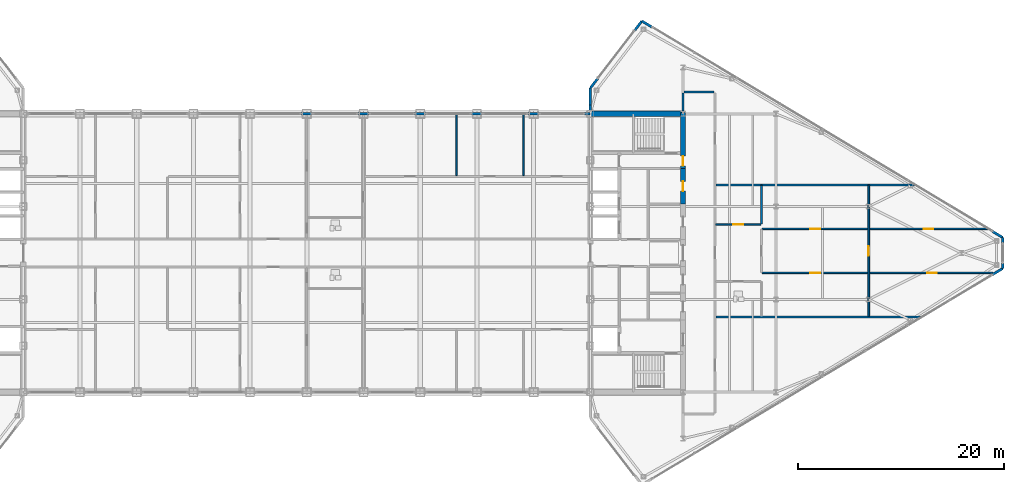
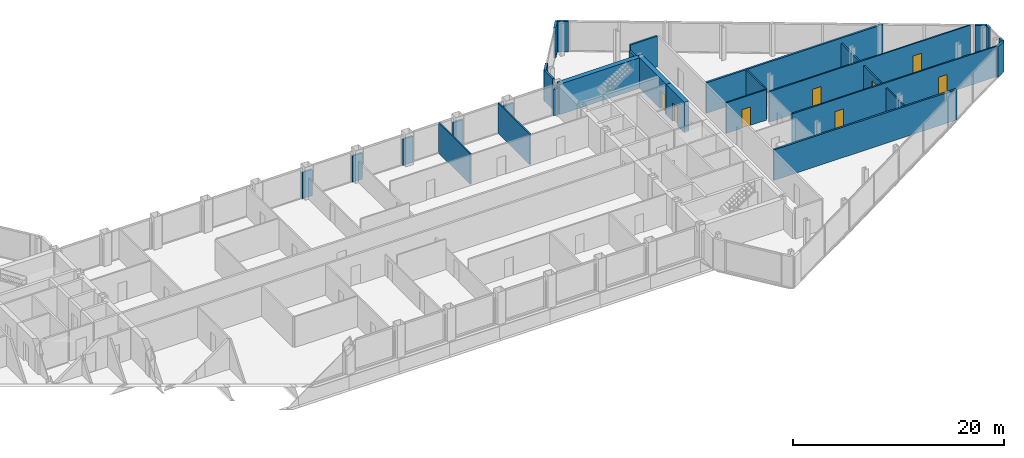
# One storey, part 26 of 29: 29 walls, 8 doors, 8 openings.
"""IFC4 building model written with IfcOpenShell, lengths in metres."""

from ifc_helpers import new_model, si_unit, direction, frame, frame_2d, origin, place, context, subcontext, project, spatial, rectangle, extrude, source, transform, mapped, material, layer, layer_set, type_object, type_shapes, element, fill, save


model = new_model("IFC4")

# Units and contexts
model_context = context("Model", 3, precision=1e-05, world=origin(), true_north=direction((0.0, 1.0)))
body_context = subcontext(model_context, "Body", "Model", "MODEL_VIEW")
ifc_project = project(units=[si_unit("LENGTHUNIT", "METRE"), si_unit("AREAUNIT", "SQUARE_METRE"), si_unit("VOLUMEUNIT", "CUBIC_METRE"), si_unit("PLANEANGLEUNIT", "RADIAN"), si_unit("MASSUNIT", "GRAM", prefix="KILO")], contexts=[model_context])

# Site, building, storey
site_placement = place(None, origin())
site = spatial("IfcSite", under=ifc_project, at=site_placement, CompositionType="ELEMENT")
building_placement = place(site_placement, origin())
building = spatial("IfcBuilding", under=site, at=building_placement, Name="Seokmaru Belvedere", CompositionType="ELEMENT")
storey_placement = place(building_placement, frame((0.0, 0.0, 239.39990234375)))
storey = spatial("IfcBuildingStorey", under=building, at=storey_placement, Name="L63", CompositionType="ELEMENT", Elevation=239.39990234375)

# Wall, openings, doors
ifc_material_1 = material(Name="Fire-Rated Gypsum Shaftwall")
ifc_layer_1 = layer(ifc_material_1, 0.14990234375)
ifc_layer_set_1 = layer_set([ifc_layer_1], Name="Fire-Rated Gypsum Shaftwall")
wall_type_1 = type_object("IfcWallType", Name="Apartment Fire-Acoustic Room Partition 150", PredefinedType="PARTITIONING", material=ifc_layer_set_1)
wall_1_placement = place(storey_placement, frame((44.14990234375, -1.929931640625, 0.0), z_axis=(0.0, 0.0, 1.0), x_axis=(1.0, 0.0, 0.0)))
wall_1 = element("IfcWall", 1, at=wall_1_placement, inside=storey, type_object=wall_type_1, Name="L63 Interior Partition 012", PredefinedType="PARTITIONING", context=body_context, shape_type="SweptSolid", body=[
    extrude(rectangle(XDim=22.390380859375, YDim=0.14990234375, at=frame_2d((11.1953125, 0.0))), origin(), (0.0, 0.0, 1.0), 3.530029296875),
])
opening_1_placement = place(wall_1_placement, frame((4.675048828125, 0.0, 0.0)))
opening_1 = element("IfcOpeningElement", 2, at=opening_1_placement, cuts=wall_1, Name="Opening D05", PredefinedType="OPENING", context=body_context, shape_type="SweptSolid", body=[
    extrude(rectangle(XDim=0.949951171875, YDim=2.14990234375, at=frame_2d((0.47509765625, 1.074951171875))), frame((0.0, 0.0849609375, 0.0), z_axis=(0.0, -1.0, 0.0), x_axis=(1.0, 0.0, 0.0)), (0.0, 0.0, 1.0), 0.169921875),
])
opening_2_placement = place(wall_1_placement, frame((16.013916015625, 0.0, 0.0)))
opening_2 = element("IfcOpeningElement", 3, at=opening_2_placement, cuts=wall_1, Name="Opening D05", PredefinedType="OPENING", context=body_context, shape_type="SweptSolid", body=[
    extrude(rectangle(XDim=0.949951171875, YDim=2.14990234375, at=frame_2d((0.47509765625, 1.074951171875))), frame((0.0, 0.0849609375, 0.0), z_axis=(0.0, -1.0, 0.0), x_axis=(1.0, 0.0, 0.0)), (0.0, 0.0, 1.0), 0.169921875),
])
ifc_material_2 = material(Name="Engineered White Oak Timber", Category="wood")
door_type_1 = type_object("IfcDoorType", Name="Apartment Interior Fire-Rated Oak Door 950x2150", OperationType="NOTDEFINED", PredefinedType="DOOR", material=ifc_material_2)
shared_shape_1 = source(origin(), body_context, "Body", "SweptSolid", [
    extrude(rectangle(XDim=0.949951171875, YDim=2.14990234375, at=frame_2d((0.47509765625, 1.074951171875))), frame((0.0, 0.02490234375, 0.0), z_axis=(0.0, -1.0, 0.0), x_axis=(1.0, 0.0, 0.0)), (0.0, 0.0, 1.0), 0.050048828125),
])
type_shapes(door_type_1, [shared_shape_1])
door_1_placement = place(opening_1_placement, origin())
door_1 = element("IfcDoor", 4, at=door_1_placement, inside=storey, type_object=door_type_1, Name="L63 Interior Door 018", OperationType="SINGLE_SWING_RIGHT", OverallHeight=2.14990234375, OverallWidth=0.949951171875, PredefinedType="DOOR", context=body_context, shape_type="MappedRepresentation", body=[
    mapped(shared_shape_1, transform((0.0, 0.0, 0.0), scale=1.0)),
])
fill(opening_1, door_1)
door_2_placement = place(opening_2_placement, origin())
door_2 = element("IfcDoor", 5, at=door_2_placement, inside=storey, type_object=door_type_1, Name="L63 Interior Door 020", OperationType="SINGLE_SWING_LEFT", OverallHeight=2.14990234375, OverallWidth=0.949951171875, PredefinedType="DOOR", context=body_context, shape_type="MappedRepresentation", body=[
    mapped(shared_shape_1, transform((0.0, 0.0, 0.0), scale=1.0)),
])
fill(opening_2, door_2)

wall_2_placement = place(storey_placement, frame((44.14990234375, 2.330078125, 0.0), z_axis=(0.0, 0.0, 1.0), x_axis=(1.0, 0.0, 0.0)))
wall_2 = element("IfcWall", 6, at=wall_2_placement, inside=storey, type_object=wall_type_1, Name="L63 Interior Partition 017", PredefinedType="PARTITIONING", context=body_context, shape_type="SweptSolid", body=[
    extrude(rectangle(XDim=21.99609375, YDim=0.14990234375, at=frame_2d((10.998046875, 0.0))), origin(), (0.0, 0.0, 1.0), 3.530029296875),
])
opening_3_placement = place(wall_2_placement, frame((4.675048828125, 0.0, 0.0)))
opening_3 = element("IfcOpeningElement", 7, at=opening_3_placement, cuts=wall_2, Name="Opening D05", PredefinedType="OPENING", context=body_context, shape_type="SweptSolid", body=[
    extrude(rectangle(XDim=0.949951171875, YDim=2.14990234375, at=frame_2d((0.47509765625, 1.074951171875))), frame((0.0, 0.0849609375, 0.0), z_axis=(0.0, -1.0, 0.0), x_axis=(1.0, 0.0, 0.0)), (0.0, 0.0, 1.0), 0.169921875),
])
opening_4_placement = place(wall_2_placement, frame((15.6806640625, 0.0, 0.0)))
opening_4 = element("IfcOpeningElement", 8, at=opening_4_placement, cuts=wall_2, Name="Opening D05", PredefinedType="OPENING", context=body_context, shape_type="SweptSolid", body=[
    extrude(rectangle(XDim=0.949951171875, YDim=2.14990234375, at=frame_2d((0.47509765625, 1.074951171875))), frame((0.0, 0.0849609375, 0.0), z_axis=(0.0, -1.0, 0.0), x_axis=(1.0, 0.0, 0.0)), (0.0, 0.0, 1.0), 0.169921875),
])
door_3_placement = place(opening_3_placement, origin())
door_3 = element("IfcDoor", 9, at=door_3_placement, inside=storey, type_object=door_type_1, Name="L63 Interior Door 019", OperationType="SINGLE_SWING_LEFT", OverallHeight=2.14990234375, OverallWidth=0.949951171875, PredefinedType="DOOR", context=body_context, shape_type="MappedRepresentation", body=[
    mapped(shared_shape_1, transform((0.0, 0.0, 0.0), scale=1.0)),
])
fill(opening_3, door_3)
door_4_placement = place(opening_4_placement, origin())
door_4 = element("IfcDoor", 10, at=door_4_placement, inside=storey, type_object=door_type_1, Name="L63 Interior Door 021", OperationType="SINGLE_SWING_LEFT", OverallHeight=2.14990234375, OverallWidth=0.949951171875, PredefinedType="DOOR", context=body_context, shape_type="MappedRepresentation", body=[
    mapped(shared_shape_1, transform((0.0, 0.0, 0.0), scale=1.0)),
])
fill(opening_4, door_4)

# Wall, opening, door
wall_3_placement = place(storey_placement, frame((39.64990234375, 2.760009765625, 0.0), z_axis=(0.0, 0.0, 1.0), x_axis=(1.0, 0.0, 0.0)))
wall_3 = element("IfcWall", 11, at=wall_3_placement, inside=storey, type_object=wall_type_1, Name="L63 Interior Partition 018", PredefinedType="PARTITIONING", context=body_context, shape_type="SweptSolid", body=[
    extrude(rectangle(XDim=4.400146484375, YDim=0.14990234375, at=frame_2d((2.2001953125, 0.0))), origin(), (0.0, 0.0, 1.0), 3.530029296875),
])
opening_5_placement = place(wall_3_placement, frame((1.72509765625, 0.0, 0.0)))
opening_5 = element("IfcOpeningElement", 12, at=opening_5_placement, cuts=wall_3, Name="Opening D05", PredefinedType="OPENING", context=body_context, shape_type="SweptSolid", body=[
    extrude(rectangle(XDim=0.949951171875, YDim=2.14990234375, at=frame_2d((0.47509765625, 1.074951171875))), frame((0.0, 0.0849609375, 0.0), z_axis=(0.0, -1.0, 0.0), x_axis=(1.0, 0.0, 0.0)), (0.0, 0.0, 1.0), 0.169921875),
])
door_5_placement = place(opening_5_placement, origin())
door_5 = element("IfcDoor", 13, at=door_5_placement, inside=storey, type_object=door_type_1, Name="L63 Interior Door 015", OperationType="SINGLE_SWING_RIGHT", OverallHeight=2.14990234375, OverallWidth=0.949951171875, PredefinedType="DOOR", context=body_context, shape_type="MappedRepresentation", body=[
    mapped(shared_shape_1, transform((0.0, 0.0, 0.0), scale=1.0)),
])
fill(opening_5, door_5)

# Walls
for number, where, z_axis, x_axis, name in (
    (14, (14.5, 7.510009765625, 0.0), (0.0, 0.0, 1.0), (0.0, 1.0, 0.0), "L63 Interior Partition 045"),
    (15, (21.0, 7.510009765625, 0.0), (0.0, 0.0, 1.0), (0.0, 1.0, 0.0), "L63 Interior Partition 047"),
):
    element("IfcWall", number, at=place(storey_placement, frame(where, z_axis=z_axis, x_axis=x_axis)), inside=storey, type_object=wall_type_1, Name=name, PredefinedType="PARTITIONING", context=body_context, shape_type="SweptSolid", body=[
        extrude(rectangle(XDim=5.989990234375, YDim=0.14990234375, at=frame_2d((2.9951171875, 0.0))), origin(), (0.0, 0.0, 1.0), 3.530029296875),
    ])
wall_4_placement = place(storey_placement, frame((44.10009765625, 2.81201171875, 0.0), z_axis=(0.0, 0.0, 1.0), x_axis=(0.0, 1.0, 0.0)))
element("IfcWall", 16, at=wall_4_placement, inside=storey, type_object=wall_type_1, Name="L63 Interior Partition 053", PredefinedType="PARTITIONING", context=body_context, shape_type="SweptSolid", body=[
    extrude(rectangle(XDim=3.738037109375, YDim=0.14990234375, at=frame_2d((1.869140625, 0.0))), origin(), (0.0, 0.0, 1.0), 3.530029296875),
])

# Wall, opening, door
wall_5_placement = place(storey_placement, frame((54.5, -6.14990234375, 0.0), z_axis=(0.0, 0.0, 1.0), x_axis=(0.0, 1.0, 0.0)))
wall_5 = element("IfcWall", 17, at=wall_5_placement, inside=storey, type_object=wall_type_1, Name="L63 Interior Partition 054", PredefinedType="PARTITIONING", context=body_context, shape_type="SweptSolid", body=[
    extrude(rectangle(XDim=12.699951171875, YDim=0.14990234375, at=frame_2d((6.35009765625, 0.0))), origin(), (0.0, 0.0, 1.0), 2.93017578125),
])
opening_6_placement = place(wall_5_placement, frame((5.875, 0.0, 0.0)))
opening_6 = element("IfcOpeningElement", 18, at=opening_6_placement, cuts=wall_5, Name="Opening D05", PredefinedType="OPENING", context=body_context, shape_type="SweptSolid", body=[
    extrude(rectangle(XDim=0.949951171875, YDim=2.14990234375, at=frame_2d((0.47509765625, 1.074951171875))), frame((0.0, 0.0849609375, 0.0), z_axis=(0.0, -1.0, 0.0), x_axis=(1.0, 0.0, 0.0)), (0.0, 0.0, 1.0), 0.169921875),
])
door_6_placement = place(opening_6_placement, origin())
door_6 = element("IfcDoor", 19, at=door_6_placement, inside=storey, type_object=door_type_1, Name="L63 Interior Door 017", OperationType="SINGLE_SWING_RIGHT", OverallHeight=2.14990234375, OverallWidth=0.949951171875, PredefinedType="DOOR", context=body_context, shape_type="MappedRepresentation", body=[
    mapped(shared_shape_1, transform((0.0, 0.0, 0.0), scale=1.0)),
])
fill(opening_6, door_6)

# Walls
ifc_material_3 = material(Name="Anodised Bronze Aluminium", Category="aluminium")
ifc_layer_2 = layer(ifc_material_3, 0.2099609375)
ifc_layer_set_2 = layer_set([ifc_layer_2], Name="Anodised Bronze Aluminium")
wall_type_2 = type_object("IfcWallType", Name="Bridge Column Spandrel Closure Pier 210", PredefinedType="SOLIDWALL", material=ifc_layer_set_2)
for number, where, z_axis, x_axis, name in (
    (20, (-0.550048828125, 13.5, 0.0), (0.0, 0.0, 1.0), (1.0, 0.0, 0.0), "L63 Bridge North Column Closure Pier 06"),
    (21, (4.949951171875, 13.5, 0.0), (0.0, 0.0, 1.0), (1.0, 0.0, 0.0), "L63 Bridge North Column Closure Pier 07"),
    (22, (10.449951171875, 13.5, 0.0), (0.0, 0.0, 1.0), (1.0, 0.0, 0.0), "L63 Bridge North Column Closure Pier 08"),
    (23, (15.949951171875, 13.5, 0.0), (0.0, 0.0, 1.0), (1.0, 0.0, 0.0), "L63 Bridge North Column Closure Pier 09"),
    (24, (21.449951171875, 13.5, 0.0), (0.0, 0.0, 1.0), (1.0, 0.0, 0.0), "L63 Bridge North Column Closure Pier 10"),
):
    element("IfcWall", number, at=place(storey_placement, frame(where, z_axis=z_axis, x_axis=x_axis)), inside=storey, type_object=wall_type_2, Name=name, PredefinedType="SOLIDWALL", context=body_context, shape_type="SweptSolid", body=[
        extrude(rectangle(XDim=1.10009765625, YDim=0.2099609375, at=frame_2d((0.550048828125, 0.0))), origin(), (0.0, 0.0, 1.0), 3.030029296875),
    ])
wall_6_placement = place(storey_placement, frame((26.949951171875, 13.5, 0.0), z_axis=(0.0, 0.0, 1.0), x_axis=(1.0, 0.0, 0.0)))
element("IfcWall", 25, at=wall_6_placement, inside=storey, type_object=wall_type_2, Name="L63 Bridge North Column Closure Pier 11", PredefinedType="SOLIDWALL", context=body_context, shape_type="SweptSolid", body=[
    extrude(rectangle(XDim=0.5400390625, YDim=0.2099609375, at=frame_2d((0.27001953125, 0.0))), origin(), (0.0, 0.0, 1.0), 3.030029296875),
])
ifc_layer_3 = layer(ifc_material_1, 0.199951171875)
ifc_layer_set_3 = layer_set([ifc_layer_3], Name="Fire-Rated Gypsum Shaftwall")
wall_type_3 = type_object("IfcWallType", Name="Inter-Tenancy Fire Compartment Partition 200", PredefinedType="PARTITIONING", material=ifc_layer_set_3)
wall_7_placement = place(storey_placement, frame((39.679931640625, -6.199951171875, 0.0), z_axis=(0.0, 0.0, 1.0), x_axis=(1.0, 0.0, 0.0)))
element("IfcWall", 26, at=wall_7_placement, inside=storey, type_object=wall_type_3, Name="L63 Interior Partition 007", PredefinedType="PARTITIONING", context=body_context, shape_type="SweptSolid", body=[
    extrude(rectangle(XDim=19.99609375, YDim=0.199951171875, at=frame_2d((9.998046875, 0.0))), origin(), (0.0, 0.0, 1.0), 3.530029296875),
])
wall_8_placement = place(storey_placement, frame((39.679931640625, 6.60009765625, 0.0), z_axis=(0.0, 0.0, 1.0), x_axis=(1.0, 0.0, 0.0)))
element("IfcWall", 27, at=wall_8_placement, inside=storey, type_object=wall_type_3, Name="L63 Interior Partition 021", PredefinedType="PARTITIONING", context=body_context, shape_type="SweptSolid", body=[
    extrude(rectangle(XDim=19.330078125, YDim=0.199951171875, at=frame_2d((9.6650390625, 0.0))), origin(), (0.0, 0.0, 1.0), 3.530029296875),
])
wall_9_placement = place(storey_placement, frame((36.5849609375, 15.60009765625, 0.0), z_axis=(0.0, 0.0, 1.0), x_axis=(1.0, 0.0, 0.0)))
element("IfcWall", 28, at=wall_9_placement, inside=storey, type_object=wall_type_3, Name="L63 Interior Partition 026", PredefinedType="PARTITIONING", context=body_context, shape_type="SweptSolid", body=[
    extrude(rectangle(XDim=2.929931640625, YDim=0.199951171875, at=frame_2d((1.46484375, 0.0))), origin(), (0.0, 0.0, 1.0), 3.530029296875),
])
wall_10_placement = place(storey_placement, frame((36.5, 13.7548828125, 0.0), z_axis=(0.0, 0.0, 1.0), x_axis=(0.0, 1.0, 0.0)))
element("IfcWall", 29, at=wall_10_placement, inside=storey, type_object=wall_type_3, Name="L63 Interior Partition 049", PredefinedType="PARTITIONING", context=body_context, shape_type="SweptSolid", body=[
    extrude(rectangle(XDim=1.760009765625, YDim=0.199951171875, at=frame_2d((0.8798828125, 0.0))), origin(), (0.0, 0.0, 1.0), 2.93017578125),
])
ifc_layer_4 = layer(ifc_material_3, 0.239990234375)
ifc_layer_set_4 = layer_set([ifc_layer_4], Name="Anodised Bronze Aluminium")
wall_type_4 = type_object("IfcWallType", Name="Tower Corner Spandrel Closure Wall 240", PredefinedType="SOLIDWALL", material=ifc_layer_set_4)
wall_11_placement = place(storey_placement, frame((66.513916015625, -2.091796875, 0.0), z_axis=(0.0, 0.0, 1.0), x_axis=(0.85743623509, 0.514590228002, 0.0)))
element("IfcWall", 30, at=wall_11_placement, inside=storey, type_object=wall_type_4, Name="L63 E Corner Closure Pier 1B", PredefinedType="SOLIDWALL", context=body_context, shape_type="SweptSolid", body=[
    extrude(rectangle(XDim=1.14013671875, YDim=0.239990234375, at=frame_2d((0.570068359375, 0.0))), origin(), (0.0, 0.0, 1.0), 3.530029296875),
])
for number, where, z_axis, x_axis, name in (
    (31, (67.5, -1.489990234375, 0.0), (0.0, 0.0, 1.0), (0.0, 1.0, 0.0), "L63 E Apex Closure Pier 2A"),
    (32, (67.5, 0.949951171875, 0.0), (0.0, 0.0, 1.0), (0.0, 1.0, 0.0), "L63 E Apex Closure Pier 2B"),
):
    element("IfcWall", number, at=place(storey_placement, frame(where, z_axis=z_axis, x_axis=x_axis)), inside=storey, type_object=wall_type_4, Name=name, PredefinedType="SOLIDWALL", context=body_context, shape_type="SweptSolid", body=[
        extrude(rectangle(XDim=0.5400390625, YDim=0.239990234375, at=frame_2d((0.27001953125, 0.0))), origin(), (0.0, 0.0, 1.0), 3.530029296875),
    ])
for number, where, z_axis, x_axis, name in (
    (33, (67.491455078125, 1.505126953125, 0.0), (0.0, 0.0, 1.0), (-0.85743623509, 0.514590228002, 0.0), "L63 E Corner Closure Pier 3A"),
    (34, (33.486083984375, 21.908203125, 0.0), (0.0, 0.0, 1.0), (-0.85743623509, 0.514590228002, 0.0), "L63 E Corner Closure Pier 3B"),
    (35, (32.493896484375, 22.4921875, 0.0), (0.0, 0.0, 1.0), (-0.609617623633, -0.792695624408, 0.0), "L63 E Corner Closure Pier 4A"),
    (36, (28.201171875, 16.91162109375, 0.0), (0.0, 0.0, 1.0), (-0.609617623633, -0.792695624408, 0.0), "L63 E Corner Closure Pier 4B"),
):
    element("IfcWall", number, at=place(storey_placement, frame(where, z_axis=z_axis, x_axis=x_axis)), inside=storey, type_object=wall_type_4, Name=name, PredefinedType="SOLIDWALL", context=body_context, shape_type="SweptSolid", body=[
        extrude(rectangle(XDim=1.14013671875, YDim=0.239990234375, at=frame_2d((0.570068359375, 0.0))), origin(), (0.0, 0.0, 1.0), 3.530029296875),
    ])
wall_12_placement = place(storey_placement, frame((27.5, 13.7548828125, 0.0), z_axis=(0.0, 0.0, 1.0), x_axis=(0.0, 1.0, 0.0)))
element("IfcWall", 37, at=wall_12_placement, inside=storey, type_object=wall_type_4, Name="L63 E Shoulder Closure Wall 2", PredefinedType="SOLIDWALL", context=body_context, shape_type="SweptSolid", body=[
    extrude(rectangle(XDim=0.619873046875, YDim=0.239990234375, at=frame_2d((0.31005859375, 0.0))), origin(), (0.0, 0.0, 1.0), 3.030029296875),
])
wall_13_placement = place(storey_placement, frame((27.5, 14.374755859375, 0.0), z_axis=(0.0, 0.0, 1.0), x_axis=(0.0, 1.0, 0.0)))
element("IfcWall", 38, at=wall_13_placement, inside=storey, type_object=wall_type_4, Name="L63 E Shoulder Closure Wall 2 Part 2", PredefinedType="SOLIDWALL", context=body_context, shape_type="SweptSolid", body=[
    extrude(rectangle(XDim=1.605224609375, YDim=0.239990234375, at=frame_2d((0.802734375, 0.0))), origin(), (0.0, 0.0, 1.0), 3.530029296875),
])
ifc_material_4 = material(Name="Concrete C50 (50 MPa)", Category="concrete")
ifc_layer_5 = layer(ifc_material_4, 0.5)
ifc_layer_set_5 = layer_set([ifc_layer_5], Name="Concrete C50 (50 MPa)")
wall_type_5 = type_object("IfcWallType", Name="Upper Tower Reinforced Concrete Core Wall 500", PredefinedType="SHEAR", material=ifc_layer_set_5)
wall_14_placement = place(storey_placement, frame((27.5, 13.5, 0.0), z_axis=(0.0, 0.0, 1.0), x_axis=(1.0, 0.0, 0.0)))
element("IfcWall", 39, at=wall_14_placement, inside=storey, type_object=wall_type_5, Name="L63 East North Core Wall", PredefinedType="SHEAR", context=body_context, shape_type="SweptSolid", body=[
    extrude(rectangle(XDim=9.0, YDim=0.5, at=frame_2d((4.5, 0.0))), origin(), (0.0, 0.0, 1.0), 3.530029296875),
])

# Wall, opening, door
wall_15_placement = place(storey_placement, frame((36.5, 8.199951171875, 0.0), z_axis=(0.0, 0.0, 1.0), x_axis=(0.0, 1.0, 0.0)))
wall_15 = element("IfcWall", 40, at=wall_15_placement, inside=storey, type_object=wall_type_5, Name="L63 East West Core Wall VST", PredefinedType="SHEAR", context=body_context, shape_type="SweptSolid", body=[
    extrude(rectangle(XDim=5.449951171875, YDim=0.5, at=frame_2d((2.72509765625, 0.0))), origin(), (0.0, 0.0, 1.0), 3.530029296875),
])
opening_7_placement = place(wall_15_placement, frame((0.2451171875, 0.0, 0.0)))
opening_7 = element("IfcOpeningElement", 41, at=opening_7_placement, cuts=wall_15, Name="Opening D04", PredefinedType="OPENING", context=body_context, shape_type="SweptSolid", body=[
    extrude(rectangle(XDim=0.949951171875, YDim=2.14990234375, at=frame_2d((0.47509765625, 1.074951171875))), frame((0.0, 0.260009765625, 0.0), z_axis=(0.0, -1.0, 0.0), x_axis=(1.0, 0.0, 0.0)), (0.0, 0.0, 1.0), 0.52001953125),
])
ifc_material_5 = material(Name="Fire-Rated Steel Leaf", Category="steel")
door_type_2 = type_object("IfcDoorType", Name="Core Service Room Fire Door 950x2150", OperationType="NOTDEFINED", PredefinedType="DOOR", material=ifc_material_5)
shared_shape_2 = source(origin(), body_context, "Body", "SweptSolid", [
    extrude(rectangle(XDim=0.949951171875, YDim=2.14990234375, at=frame_2d((0.47509765625, 1.074951171875))), frame((0.0, 0.02490234375, 0.0), z_axis=(0.0, -1.0, 0.0), x_axis=(1.0, 0.0, 0.0)), (0.0, 0.0, 1.0), 0.050048828125),
])
type_shapes(door_type_2, [shared_shape_2])
door_7_placement = place(opening_7_placement, origin())
door_7 = element("IfcDoor", 42, at=door_7_placement, inside=storey, type_object=door_type_2, Name="L63 East Smokeproof Vestibule Door", OperationType="SINGLE_SWING_LEFT", OverallHeight=2.14990234375, OverallWidth=0.949951171875, PredefinedType="DOOR", context=body_context, shape_type="MappedRepresentation", body=[
    mapped(shared_shape_2, transform((0.0, 0.0, 0.0), scale=1.0)),
])
fill(opening_7, door_7)

wall_16_placement = place(storey_placement, frame((36.5, 4.75, 0.0), z_axis=(0.0, 0.0, 1.0), x_axis=(0.0, 1.0, 0.0)))
wall_16 = element("IfcWall", 43, at=wall_16_placement, inside=storey, type_object=wall_type_5, Name="L63 East West Core Wall CS4", PredefinedType="SHEAR", context=body_context, shape_type="SweptSolid", body=[
    extrude(rectangle(XDim=3.449951171875, YDim=0.5, at=frame_2d((1.72509765625, 0.0))), origin(), (0.0, 0.0, 1.0), 3.530029296875),
])
opening_8_placement = place(wall_16_placement, frame((1.25, 0.0, 0.0)))
opening_8 = element("IfcOpeningElement", 44, at=opening_8_placement, cuts=wall_16, Name="Opening D04", PredefinedType="OPENING", context=body_context, shape_type="SweptSolid", body=[
    extrude(rectangle(XDim=0.949951171875, YDim=2.14990234375, at=frame_2d((0.47509765625, 1.074951171875))), frame((0.0, 0.260009765625, 0.0), z_axis=(0.0, -1.0, 0.0), x_axis=(1.0, 0.0, 0.0)), (0.0, 0.0, 1.0), 0.52001953125),
])
door_8_placement = place(opening_8_placement, origin())
door_8 = element("IfcDoor", 45, at=door_8_placement, inside=storey, type_object=door_type_2, Name="L63 East Core Service Room Door 4", OperationType="SINGLE_SWING_LEFT", OverallHeight=2.14990234375, OverallWidth=0.949951171875, PredefinedType="DOOR", context=body_context, shape_type="MappedRepresentation", body=[
    mapped(shared_shape_2, transform((0.0, 0.0, 0.0), scale=1.0)),
])
fill(opening_8, door_8)

save(model, "model.ifc")
